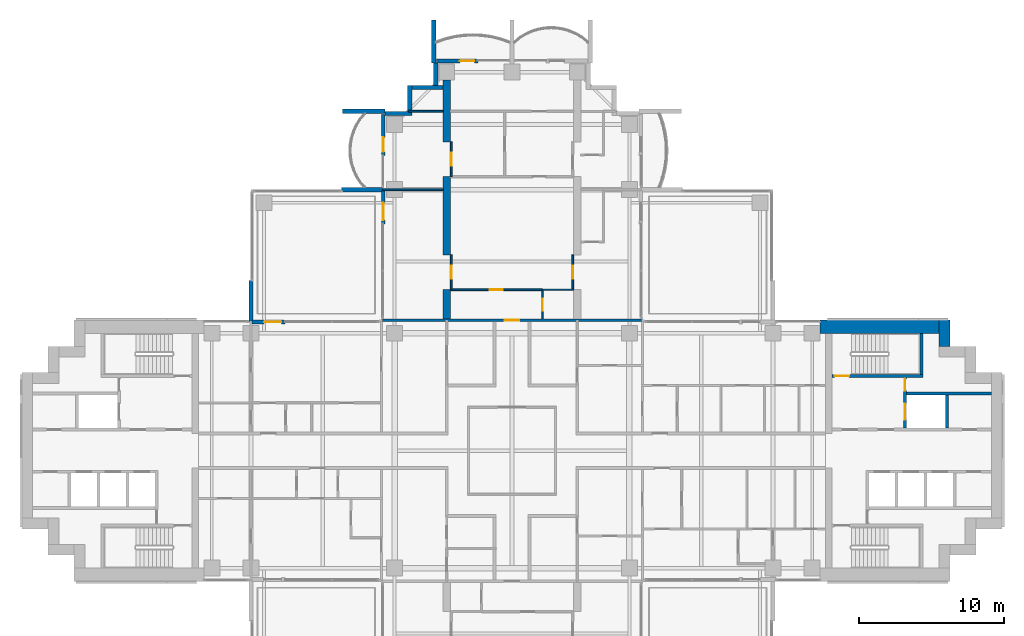
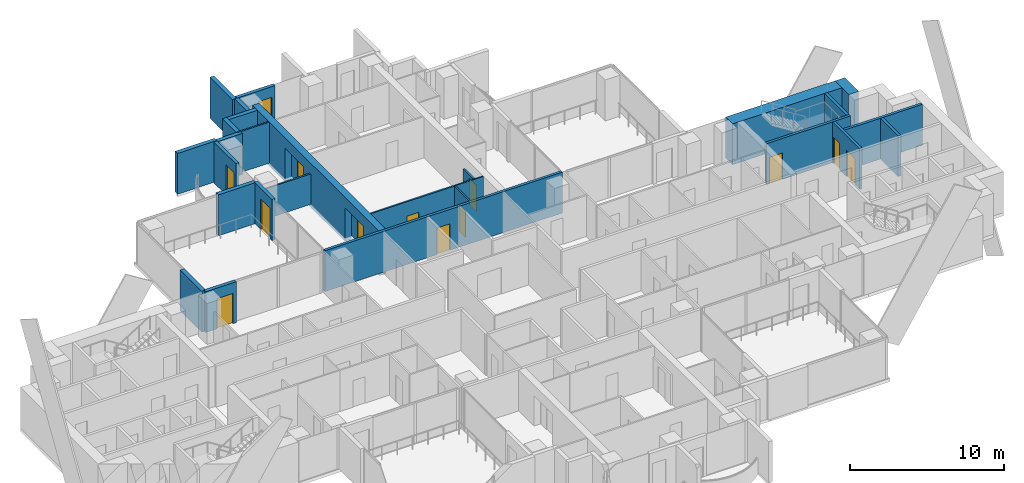
# One storey, part 13 of 19: 29 walls, 13 doors, 13 openings.
"""IFC4 building model written with IfcOpenShell, lengths in metres."""

from ifc_helpers import new_model, si_unit, direction, frame, frame_2d, origin, place, context, subcontext, project, spatial, polyline, rectangle, outline, extrude, material, layer, layer_set, material_profile, profile_set, type_object, element, fill, save


model = new_model("IFC4")

# Units and contexts
model_context = context("Model", 3, precision=1e-05, world=origin(), true_north=direction((0.0, 1.0)))
body_context = subcontext(model_context, "Body", "Model", "MODEL_VIEW")
ifc_project = project(units=[si_unit("LENGTHUNIT", "METRE"), si_unit("AREAUNIT", "SQUARE_METRE"), si_unit("VOLUMEUNIT", "CUBIC_METRE"), si_unit("PLANEANGLEUNIT", "RADIAN"), si_unit("MASSUNIT", "GRAM", prefix="KILO")], contexts=[model_context])

# Site, building, storey
site_placement = place(None, origin())
site = spatial("IfcSite", under=ifc_project, at=site_placement, CompositionType="ELEMENT")
building_placement = place(site_placement, origin())
building = spatial("IfcBuilding", under=site, at=building_placement, Name="Perihelion Cross Residences", CompositionType="ELEMENT")
storey_placement = place(building_placement, frame((0.0, 0.0, 116.39990234375)))
storey = spatial("IfcBuildingStorey", under=building, at=storey_placement, Name="L27", CompositionType="ELEMENT", Elevation=116.39990234375)

# Wall, opening, door
ifc_material_1 = material(Name="Plasterboard partition")
ifc_layer_1 = layer(ifc_material_1, 0.199951171875)
ifc_layer_set_1 = layer_set([ifc_layer_1], Name="Apartment separation wall 200")
wall_type_1 = type_object("IfcWallType", Name="Apartment separation wall 200", PredefinedType="PARTITIONING", material=ifc_layer_set_1)
wall_1_placement = place(storey_placement, frame((-8.919921875, 9.0, 0.0), z_axis=(0.0, 0.0, 1.0), x_axis=(1.0, 0.0, 0.0)))
wall_1 = element("IfcWall", 1, at=wall_1_placement, inside=storey, type_object=wall_type_1, Name="Partition L27 W021", PredefinedType="PARTITIONING", context=body_context, shape_type="SweptSolid", body=[
    extrude(rectangle(XDim=17.83984375, YDim=0.199951171875, at=frame_2d((8.919921875, 0.0))), origin(), (0.0, 0.0, 1.0), 3.25),
])
opening_1_placement = place(wall_1_placement, frame((8.419921875, 0.0, 0.0)))
opening_1 = element("IfcOpeningElement", 2, at=opening_1_placement, cuts=wall_1, Name="Opening L27.A35", PredefinedType="OPENING", context=body_context, shape_type="SweptSolid", body=[
    extrude(rectangle(XDim=1.0, YDim=2.10009765625, at=frame_2d((0.5, 1.050048828125))), frame((0.0, 0.10986328125, 0.0), z_axis=(0.0, -1.0, 0.0), x_axis=(1.0, 0.0, 0.0)), (0.0, 0.0, 1.0), 0.219970703125),
])
ifc_material_2 = material(Name="Timber door leaf", Category="wood")
door_type_1 = type_object("IfcDoorType", Name="Flat entrance door 1000 x 2100", OperationType="SINGLE_SWING_LEFT", PredefinedType="DOOR", material=ifc_material_2)
door_1_placement = place(opening_1_placement, origin())
door_1 = element("IfcDoor", 3, at=door_1_placement, inside=storey, type_object=door_type_1, Name="Door L27.A35", OperationType="SINGLE_SWING_LEFT", OverallHeight=2.10009765625, OverallWidth=1.0, PredefinedType="DOOR", context=body_context, shape_type="SweptSolid", body=[
    extrude(rectangle(XDim=1.0, YDim=2.10009765625, at=frame_2d((0.5, 1.050048828125))), frame((0.0, 0.02490234375, 0.0), z_axis=(0.0, -1.0, 0.0), x_axis=(1.0, 0.0, 0.0)), (0.0, 0.0, 1.0), 0.050048828125),
])
fill(opening_1, door_1)

ifc_material_3 = material(Name="Concrete C30/37, bronze-clad", Category="concrete")
ifc_layer_2 = layer(ifc_material_3, 0.25)
ifc_layer_set_2 = layer_set([ifc_layer_2], Name="Bronze-clad pier wall 250")
wall_type_2 = type_object("IfcWallType", Name="Bronze-clad pier wall 250", PredefinedType="SOLIDWALL", material=ifc_layer_set_2)
wall_2_placement = place(storey_placement, frame((-2.35009765625, 26.875, 0.0), z_axis=(0.0, 0.0, 1.0), x_axis=(-1.0, 0.0, 0.0)))
wall_2 = element("IfcWall", 4, at=wall_2_placement, inside=storey, type_object=wall_type_2, Name="Wall FW1 L27 north tip north bay 2 pier", PredefinedType="SOLIDWALL", context=body_context, shape_type="SweptSolid", body=[
    extrude(rectangle(XDim=2.849853515625, YDim=0.25, at=frame_2d((1.4248046875, 0.0))), origin(), (0.0, 0.0, 1.0), 3.25),
])
opening_2_placement = place(wall_2_placement, frame((0.25, 0.0, 0.0)))
opening_2 = element("IfcOpeningElement", 5, at=opening_2_placement, cuts=wall_2, Name="Opening L27.E05", PredefinedType="OPENING", context=body_context, shape_type="SweptSolid", body=[
    extrude(rectangle(XDim=1.0, YDim=2.39990234375, at=frame_2d((0.5, 1.199951171875))), frame((0.0, 0.135009765625, 0.0), z_axis=(0.0, -1.0, 0.0), x_axis=(1.0, 0.0, 0.0)), (0.0, 0.0, 1.0), 0.27001953125),
])
ifc_material_4 = material(Name="Bronze anodised aluminium, glazed", Category="aluminium")
door_type_2 = type_object("IfcDoorType", Name="Balcony door 1000 x 2400", OperationType="NOTDEFINED", PredefinedType="DOOR", material=ifc_material_4)
door_2_placement = place(opening_2_placement, origin())
door_2 = element("IfcDoor", 6, at=door_2_placement, inside=storey, type_object=door_type_2, Name="Door L27.E05 north tip north bay 2", OperationType="SINGLE_SWING_RIGHT", OverallHeight=2.39990234375, OverallWidth=1.0, PredefinedType="DOOR", context=body_context, shape_type="SweptSolid", body=[
    extrude(rectangle(XDim=1.0, YDim=2.39990234375, at=frame_2d((0.5, 1.199951171875))), frame((0.0, 0.02490234375, 0.0), z_axis=(0.0, -1.0, 0.0), x_axis=(1.0, 0.0, 0.0)), (0.0, 0.0, 1.0), 0.050048828125),
])
fill(opening_2, door_2)

wall_3_placement = place(storey_placement, frame((-8.875, 23.199951171875, 0.0), z_axis=(0.0, 0.0, 1.0), x_axis=(0.0, -1.0, 0.0)))
wall_3 = element("IfcWall", 7, at=wall_3_placement, inside=storey, type_object=wall_type_2, Name="Wall FW1 L27 north side west bay 1 pier", PredefinedType="SOLIDWALL", context=body_context, shape_type="SweptSolid", body=[
    extrude(rectangle(XDim=2.849853515625, YDim=0.25, at=frame_2d((1.4248046875, 0.0))), origin(), (0.0, 0.0, 1.0), 3.25),
])
opening_3_placement = place(wall_3_placement, frame((1.60009765625, 0.0, 0.0)))
opening_3 = element("IfcOpeningElement", 8, at=opening_3_placement, cuts=wall_3, Name="Opening L27.E06", PredefinedType="OPENING", context=body_context, shape_type="SweptSolid", body=[
    extrude(rectangle(XDim=1.0, YDim=2.39990234375, at=frame_2d((0.5, 1.199951171875))), frame((0.0, 0.135009765625, 0.0), z_axis=(0.0, -1.0, 0.0), x_axis=(1.0, 0.0, 0.0)), (0.0, 0.0, 1.0), 0.27001953125),
])
door_3_placement = place(opening_3_placement, origin())
door_3 = element("IfcDoor", 9, at=door_3_placement, inside=storey, type_object=door_type_2, Name="Door L27.E06 north side west bay 1", OperationType="SINGLE_SWING_LEFT", OverallHeight=2.39990234375, OverallWidth=1.0, PredefinedType="DOOR", context=body_context, shape_type="SweptSolid", body=[
    extrude(rectangle(XDim=1.0, YDim=2.39990234375, at=frame_2d((0.5, 1.199951171875))), frame((0.0, 0.02490234375, 0.0), z_axis=(0.0, -1.0, 0.0), x_axis=(1.0, 0.0, 0.0)), (0.0, 0.0, 1.0), 0.050048828125),
])
fill(opening_3, door_3)

wall_4_placement = place(storey_placement, frame((-8.875, 17.93994140625, 0.0), z_axis=(0.0, 0.0, 1.0), x_axis=(0.0, -1.0, 0.0)))
wall_4 = element("IfcWall", 10, at=wall_4_placement, inside=storey, type_object=wall_type_2, Name="Wall FW1 L27 north side west bay 2 pier", PredefinedType="SOLIDWALL", context=body_context, shape_type="SweptSolid", body=[
    extrude(rectangle(XDim=2.2900390625, YDim=0.25, at=frame_2d((1.14501953125, 0.0))), origin(), (0.0, 0.0, 1.0), 3.25),
])
opening_4_placement = place(wall_4_placement, frame((0.840087890625, 0.0, 0.0)))
opening_4 = element("IfcOpeningElement", 11, at=opening_4_placement, cuts=wall_4, Name="Opening L27.E07", PredefinedType="OPENING", context=body_context, shape_type="SweptSolid", body=[
    extrude(rectangle(XDim=1.199951171875, YDim=2.39990234375, at=frame_2d((0.60009765625, 1.199951171875))), frame((0.0, 0.135009765625, 0.0), z_axis=(0.0, -1.0, 0.0), x_axis=(1.0, 0.0, 0.0)), (0.0, 0.0, 1.0), 0.27001953125),
])
ifc_material_5 = material(Name="Bronze anodised aluminium, glazed", Category="aluminium")
door_type_3 = type_object("IfcDoorType", Name="Balcony door 1200 x 2400", OperationType="NOTDEFINED", PredefinedType="DOOR", material=ifc_material_5)
door_4_placement = place(opening_4_placement, origin())
door_4 = element("IfcDoor", 12, at=door_4_placement, inside=storey, type_object=door_type_3, Name="Door L27.E07 north side west bay 2", OperationType="SINGLE_SWING_RIGHT", OverallHeight=2.39990234375, OverallWidth=1.199951171875, PredefinedType="DOOR", context=body_context, shape_type="SweptSolid", body=[
    extrude(rectangle(XDim=1.199951171875, YDim=2.39990234375, at=frame_2d((0.60009765625, 1.199951171875))), frame((0.0, 0.02490234375, 0.0), z_axis=(0.0, -1.0, 0.0), x_axis=(1.0, 0.0, 0.0)), (0.0, 0.0, 1.0), 0.050048828125),
])
fill(opening_4, door_4)

wall_5_placement = place(storey_placement, frame((-15.64990234375, 8.875, 0.0), z_axis=(0.0, 0.0, 1.0), x_axis=(-1.0, 0.0, 0.0)))
wall_5 = element("IfcWall", 13, at=wall_5_placement, inside=storey, type_object=wall_type_2, Name="Wall FW1 L27 west side north bay 1 pier", PredefinedType="SOLIDWALL", context=body_context, shape_type="SweptSolid", body=[
    extrude(rectangle(XDim=2.2900390625, YDim=0.25, at=frame_2d((1.14501953125, 0.0))), origin(), (0.0, 0.0, 1.0), 3.25),
])
opening_5_placement = place(wall_5_placement, frame((0.25, 0.0, 0.0)))
opening_5 = element("IfcOpeningElement", 14, at=opening_5_placement, cuts=wall_5, Name="Opening L27.E08", PredefinedType="OPENING", context=body_context, shape_type="SweptSolid", body=[
    extrude(rectangle(XDim=1.199951171875, YDim=2.39990234375, at=frame_2d((0.60009765625, 1.199951171875))), frame((0.0, 0.135009765625, 0.0), z_axis=(0.0, -1.0, 0.0), x_axis=(1.0, 0.0, 0.0)), (0.0, 0.0, 1.0), 0.27001953125),
])
door_5_placement = place(opening_5_placement, origin())
door_5 = element("IfcDoor", 15, at=door_5_placement, inside=storey, type_object=door_type_3, Name="Door L27.E08 west side north bay 1", OperationType="SINGLE_SWING_LEFT", OverallHeight=2.39990234375, OverallWidth=1.199951171875, PredefinedType="DOOR", context=body_context, shape_type="SweptSolid", body=[
    extrude(rectangle(XDim=1.199951171875, YDim=2.39990234375, at=frame_2d((0.60009765625, 1.199951171875))), frame((0.0, 0.02490234375, 0.0), z_axis=(0.0, -1.0, 0.0), x_axis=(1.0, 0.0, 0.0)), (0.0, 0.0, 1.0), 0.050048828125),
])
fill(opening_5, door_5)

# Walls
ifc_material_6 = material(Name="Concrete C30/37, bronze-clad", Category="concrete")
ifc_layer_3 = layer(ifc_material_6, 0.300048828125)
ifc_layer_set_3 = layer_set([ifc_layer_3], Name="Bronze-clad serration wall 300")
wall_type_3 = type_object("IfcWallType", Name="Bronze-clad serration wall 300", PredefinedType="SOLIDWALL", material=ifc_layer_set_3)
wall_6_placement = place(storey_placement, frame((-5.25, 26.75, 0.0), z_axis=(0.0, 0.0, 1.0), x_axis=(0.0, -1.0, 0.0)))
element("IfcWall", 16, at=wall_6_placement, inside=storey, type_object=wall_type_3, Name="Wall SR1 L27 north corner north-west 1", PredefinedType="SOLIDWALL", context=body_context, shape_type="SweptSolid", body=[
    extrude(rectangle(XDim=1.550048828125, YDim=0.300048828125, at=frame_2d((0.77490234375, 0.0))), origin(), (0.0, 0.0, 1.0), 3.25),
])
wall_7_placement = place(storey_placement, frame((-4.75, 25.050048828125, 0.0), z_axis=(0.0, 0.0, 1.0), x_axis=(-1.0, 0.0, 0.0)))
element("IfcWall", 17, at=wall_7_placement, inside=storey, type_object=wall_type_3, Name="Wall SR1 L27 north corner north-west 2", PredefinedType="SOLIDWALL", context=body_context, shape_type="SweptSolid", body=[
    extrude(rectangle(XDim=2.14990234375, YDim=0.300048828125, at=frame_2d((1.074951171875, 0.0))), origin(), (0.0, 0.0, 1.0), 3.25),
])
wall_8_placement = place(storey_placement, frame((-7.050048828125, 25.199951171875, 0.0), z_axis=(0.0, 0.0, 1.0), x_axis=(0.0, -1.0, 0.0)))
element("IfcWall", 18, at=wall_8_placement, inside=storey, type_object=wall_type_3, Name="Wall SR1 L27 north corner north-west 3", PredefinedType="SOLIDWALL", context=body_context, shape_type="SweptSolid", body=[
    extrude(rectangle(XDim=1.800048828125, YDim=0.300048828125, at=frame_2d((0.89990234375, 0.0))), origin(), (0.0, 0.0, 1.0), 3.25),
])
wall_9_placement = place(storey_placement, frame((-6.89990234375, 23.25, 0.0), z_axis=(0.0, 0.0, 1.0), x_axis=(-1.0, 0.0, 0.0)))
element("IfcWall", 19, at=wall_9_placement, inside=storey, type_object=wall_type_3, Name="Wall SR1 L27 north corner north-west 4", PredefinedType="SOLIDWALL", context=body_context, shape_type="SweptSolid", body=[
    extrude(rectangle(XDim=1.85009765625, YDim=0.300048828125, at=frame_2d((0.925048828125, 0.0))), origin(), (0.0, 0.0, 1.0), 3.25),
])
ifc_material_7 = material(Name="Concrete C60/75", Category="concrete")
ifc_layer_4 = layer(ifc_material_7, 0.75)
ifc_layer_set_4 = layer_set([ifc_layer_4], Name="Core wall, outer 750")
wall_type_4 = type_object("IfcWallType", Name="Core wall, outer 750", PredefinedType="SHEAR", material=ifc_layer_set_4)
wall_10_placement = place(storey_placement, frame((29.824951171875, 7.199951171875, 0.0), z_axis=(0.0, 0.0, 1.0), x_axis=(0.0, 1.0, 0.0)))
element("IfcWall", 20, at=wall_10_placement, inside=storey, type_object=wall_type_4, Name="East core core wall, outer", PredefinedType="SHEAR", context=body_context, shape_type="SweptSolid", body=[
    extrude(rectangle(XDim=1.800048828125, YDim=0.75, at=frame_2d((0.89990234375, 0.0))), origin(), (0.0, 0.0, 1.0), 3.25),
])
ifc_material_8 = material(Name="Concrete C60/75", Category="concrete")
ifc_layer_5 = layer(ifc_material_8, 0.89990234375)
ifc_layer_set_5 = layer_set([ifc_layer_5], Name="Core wall, outer 900")
wall_type_5 = type_object("IfcWallType", Name="Core wall, outer 900", PredefinedType="SHEAR", material=ifc_layer_set_5)
wall_11_placement = place(storey_placement, frame((21.25, 8.550048828125, 0.0), z_axis=(0.0, 0.0, 1.0), x_axis=(1.0, 0.0, 0.0)))
element("IfcWall", 21, at=wall_11_placement, inside=storey, type_object=wall_type_5, Name="East core core wall, outer", PredefinedType="SHEAR", context=body_context, shape_type="SweptSolid", body=[
    extrude(rectangle(XDim=8.199951171875, YDim=0.89990234375, at=frame_2d((4.10009765625, 0.0))), origin(), (0.0, 0.0, 1.0), 3.25),
])

# Wall, opening, door
ifc_material_9 = material(Name="Plasterboard partition")
ifc_layer_6 = layer(ifc_material_9, 0.1201171875)
ifc_layer_set_6 = layer_set([ifc_layer_6], Name="Infill panel 120")
wall_type_6 = type_object("IfcWallType", Name="Infill panel 120", PredefinedType="PARTITIONING", material=ifc_layer_set_6)
wall_12_placement = place(storey_placement, frame((4.18994140625, 11.10009765625, 0.0), z_axis=(0.0, 0.0, 1.0), x_axis=(0.0, 1.0, 0.0)))
wall_12 = element("IfcWall", 22, at=wall_12_placement, inside=storey, type_object=wall_type_6, Name="Partition L27 WI01", PredefinedType="PARTITIONING", context=body_context, shape_type="SweptSolid", body=[
    extrude(rectangle(XDim=2.39990234375, YDim=0.1201171875, at=frame_2d((1.199951171875, 0.0))), origin(), (0.0, 0.0, 1.0), 2.400146484375),
])
opening_6_placement = place(wall_12_placement, frame((0.75, 0.0, 0.0)))
opening_6 = element("IfcOpeningElement", 23, at=opening_6_placement, cuts=wall_12, Name="Opening L27.A53", PredefinedType="OPENING", context=body_context, shape_type="SweptSolid", body=[
    extrude(rectangle(XDim=0.89990234375, YDim=2.10009765625, at=frame_2d((0.449951171875, 1.050048828125))), frame((0.0, 0.070068359375, 0.0), z_axis=(0.0, -1.0, 0.0), x_axis=(1.0, 0.0, 0.0)), (0.0, 0.0, 1.0), 0.14013671875),
])
ifc_material_10 = material(Name="Timber door leaf", Category="wood")
door_type_4 = type_object("IfcDoorType", Name="Interior room door 900 x 2100", OperationType="SINGLE_SWING_LEFT", PredefinedType="DOOR", material=ifc_material_10)
door_6_placement = place(opening_6_placement, origin())
door_6 = element("IfcDoor", 24, at=door_6_placement, inside=storey, type_object=door_type_4, Name="Door L27.A53", OperationType="SINGLE_SWING_LEFT", OverallHeight=2.10009765625, OverallWidth=0.89990234375, PredefinedType="DOOR", context=body_context, shape_type="SweptSolid", body=[
    extrude(rectangle(XDim=0.89990234375, YDim=2.10009765625, at=frame_2d((0.449951171875, 1.050048828125))), frame((0.0, 0.02490234375, 0.0), z_axis=(0.0, -1.0, 0.0), x_axis=(1.0, 0.0, 0.0)), (0.0, 0.0, 1.0), 0.050048828125),
])
fill(opening_6, door_6)

wall_13_placement = place(storey_placement, frame((-4.18994140625, 11.10009765625, 0.0), z_axis=(0.0, 0.0, 1.0), x_axis=(0.0, 1.0, 0.0)))
wall_13 = element("IfcWall", 25, at=wall_13_placement, inside=storey, type_object=wall_type_6, Name="Partition L27 WI03", PredefinedType="PARTITIONING", context=body_context, shape_type="SweptSolid", body=[
    extrude(rectangle(XDim=2.39990234375, YDim=0.1201171875, at=frame_2d((1.199951171875, 0.0))), origin(), (0.0, 0.0, 1.0), 2.400146484375),
])
opening_7_placement = place(wall_13_placement, frame((0.75, 0.0, 0.0)))
opening_7 = element("IfcOpeningElement", 26, at=opening_7_placement, cuts=wall_13, Name="Opening L27.A55", PredefinedType="OPENING", context=body_context, shape_type="SweptSolid", body=[
    extrude(rectangle(XDim=0.89990234375, YDim=2.10009765625, at=frame_2d((0.449951171875, 1.050048828125))), frame((0.0, 0.070068359375, 0.0), z_axis=(0.0, -1.0, 0.0), x_axis=(1.0, 0.0, 0.0)), (0.0, 0.0, 1.0), 0.14013671875),
])
door_7_placement = place(opening_7_placement, origin())
door_7 = element("IfcDoor", 27, at=door_7_placement, inside=storey, type_object=door_type_4, Name="Door L27.A55", OperationType="SINGLE_SWING_RIGHT", OverallHeight=2.10009765625, OverallWidth=0.89990234375, PredefinedType="DOOR", context=body_context, shape_type="SweptSolid", body=[
    extrude(rectangle(XDim=0.89990234375, YDim=2.10009765625, at=frame_2d((0.449951171875, 1.050048828125))), frame((0.0, 0.02490234375, 0.0), z_axis=(0.0, -1.0, 0.0), x_axis=(1.0, 0.0, 0.0)), (0.0, 0.0, 1.0), 0.050048828125),
])
fill(opening_7, door_7)

wall_14_placement = place(storey_placement, frame((-4.18994140625, 18.89990234375, 0.0), z_axis=(0.0, 0.0, 1.0), x_axis=(0.0, 1.0, 0.0)))
wall_14 = element("IfcWall", 28, at=wall_14_placement, inside=storey, type_object=wall_type_6, Name="Partition L27 WI04", PredefinedType="PARTITIONING", context=body_context, shape_type="SweptSolid", body=[
    extrude(rectangle(XDim=2.400146484375, YDim=0.1201171875, at=frame_2d((1.2001953125, 0.0))), origin(), (0.0, 0.0, 1.0), 2.400146484375),
])
opening_8_placement = place(wall_14_placement, frame((0.75, 0.0, 0.0)))
opening_8 = element("IfcOpeningElement", 29, at=opening_8_placement, cuts=wall_14, Name="Opening L27.A56", PredefinedType="OPENING", context=body_context, shape_type="SweptSolid", body=[
    extrude(rectangle(XDim=0.89990234375, YDim=2.10009765625, at=frame_2d((0.449951171875, 1.050048828125))), frame((0.0, 0.070068359375, 0.0), z_axis=(0.0, -1.0, 0.0), x_axis=(1.0, 0.0, 0.0)), (0.0, 0.0, 1.0), 0.14013671875),
])
door_8_placement = place(opening_8_placement, origin())
door_8 = element("IfcDoor", 30, at=door_8_placement, inside=storey, type_object=door_type_4, Name="Door L27.A56", OperationType="SINGLE_SWING_LEFT", OverallHeight=2.10009765625, OverallWidth=0.89990234375, PredefinedType="DOOR", context=body_context, shape_type="SweptSolid", body=[
    extrude(rectangle(XDim=0.89990234375, YDim=2.10009765625, at=frame_2d((0.449951171875, 1.050048828125))), frame((0.0, 0.02490234375, 0.0), z_axis=(0.0, -1.0, 0.0), x_axis=(1.0, 0.0, 0.0)), (0.0, 0.0, 1.0), 0.050048828125),
])
fill(opening_8, door_8)

ifc_material_11 = material(Name="Plasterboard partition")
ifc_layer_7 = layer(ifc_material_11, 0.1201171875)
ifc_layer_set_7 = layer_set([ifc_layer_7], Name="Partition wall 120")
wall_type_7 = type_object("IfcWallType", Name="Partition wall 120", PredefinedType="PARTITIONING", material=ifc_layer_set_7)
wall_15_placement = place(storey_placement, frame((-4.25, 11.10009765625, 0.0), z_axis=(0.0, 0.0, 1.0), x_axis=(1.0, 0.0, 0.0)))
wall_15 = element("IfcWall", 31, at=wall_15_placement, inside=storey, type_object=wall_type_7, Name="Partition L27 W067", PredefinedType="PARTITIONING", context=body_context, shape_type="SweptSolid", body=[
    extrude(rectangle(XDim=6.35009765625, YDim=0.1201171875, at=frame_2d((3.175048828125, 0.0))), origin(), (0.0, 0.0, 1.0), 3.25),
])
opening_9_placement = place(wall_15_placement, frame((2.72509765625, 0.0, 0.0)))
opening_9 = element("IfcOpeningElement", 32, at=opening_9_placement, cuts=wall_15, Name="Opening L27.A37", PredefinedType="OPENING", context=body_context, shape_type="SweptSolid", body=[
    extrude(rectangle(XDim=0.89990234375, YDim=2.10009765625, at=frame_2d((0.449951171875, 1.050048828125))), frame((0.0, 0.070068359375, 0.0), z_axis=(0.0, -1.0, 0.0), x_axis=(1.0, 0.0, 0.0)), (0.0, 0.0, 1.0), 0.14013671875),
])
door_9_placement = place(opening_9_placement, origin())
door_9 = element("IfcDoor", 33, at=door_9_placement, inside=storey, type_object=door_type_4, Name="Door L27.A37", OperationType="SINGLE_SWING_RIGHT", OverallHeight=2.10009765625, OverallWidth=0.89990234375, PredefinedType="DOOR", context=body_context, shape_type="SweptSolid", body=[
    extrude(rectangle(XDim=0.89990234375, YDim=2.10009765625, at=frame_2d((0.449951171875, 1.050048828125))), frame((0.0, 0.02490234375, 0.0), z_axis=(0.0, -1.0, 0.0), x_axis=(1.0, 0.0, 0.0)), (0.0, 0.0, 1.0), 0.050048828125),
])
fill(opening_9, door_9)

# Walls
wall_16_placement = place(storey_placement, frame((-8.919921875, 18.0, 0.0), z_axis=(0.0, 0.0, 1.0), x_axis=(1.0, 0.0, 0.0)))
element("IfcWall", 34, at=wall_16_placement, inside=storey, type_object=wall_type_7, Name="Partition L27 W080", PredefinedType="PARTITIONING", context=body_context, shape_type="SweptSolid", body=[
    extrude(rectangle(XDim=4.169921875, YDim=0.1201171875, at=frame_2d((2.0849609375, 0.0))), origin(), (0.0, 0.0, 1.0), 2.4140625),
])
wall_17_placement = place(storey_placement, frame((-7.1201171875, 23.39990234375, 0.0), z_axis=(0.0, 0.0, 1.0), x_axis=(1.0, 0.0, 0.0)))
element("IfcWall", 35, at=wall_17_placement, inside=storey, type_object=wall_type_7, Name="Partition L27 W081", PredefinedType="PARTITIONING", context=body_context, shape_type="SweptSolid", body=[
    extrude(rectangle(XDim=2.3701171875, YDim=0.1201171875, at=frame_2d((1.18505859375, 0.0))), origin(), (0.0, 0.0, 1.0), 3.25),
])
ifc_material_12 = material(Name="Precast concrete C50/60", Category="concrete")
ifc_layer_8 = layer(ifc_material_12, 0.300048828125)
ifc_layer_set_8 = layer_set([ifc_layer_8], Name="Precast concrete C50/60 blade wall 300")
wall_type_8 = type_object("IfcWallType", Name="Precast concrete C50/60 blade wall 300", PredefinedType="SOLIDWALL", material=ifc_layer_set_8)
for number, where, z_axis, x_axis, name in (
    (36, (-18.0, 8.919921875, 0.0), (0.0, 0.0, 1.0), (0.0, 1.0, 0.0), "Wall BL1 L27 no. 2"),
    (37, (-8.919921875, 18.0, 0.0), (0.0, 0.0, 1.0), (-1.0, 0.0, 0.0), "Wall BL1 L27 no. 6"),
):
    element("IfcWall", number, at=place(storey_placement, frame(where, z_axis=z_axis, x_axis=x_axis)), inside=storey, type_object=wall_type_8, Name=name, PredefinedType="SOLIDWALL", context=body_context, shape_type="SweptSolid", body=[
        extrude(rectangle(XDim=2.820068359375, YDim=0.300048828125, at=frame_2d((1.41015625, 0.0))), origin(), (0.0, 0.0, 1.0), 3.25),
    ])
for number, where, z_axis, x_axis, name in (
    (38, (-8.75, 23.39990234375, 0.0), (0.0, 0.0, 1.0), (-1.0, 0.0, 0.0), "Wall BL1 L27 no. 7"),
    (39, (-5.39990234375, 26.75, 0.0), (0.0, 0.0, 1.0), (0.0, 1.0, 0.0), "Wall BL1 L27 no. 4"),
):
    element("IfcWall", number, at=place(storey_placement, frame(where, z_axis=z_axis, x_axis=x_axis)), inside=storey, type_object=wall_type_8, Name=name, PredefinedType="SOLIDWALL", context=body_context, shape_type="SweptSolid", body=[
        extrude(rectangle(XDim=2.949951171875, YDim=0.300048828125, at=frame_2d((1.47509765625, 0.0))), origin(), (0.0, 0.0, 1.0), 3.25),
    ])
ifc_material_13 = material(Name="Concrete C50/60", Category="concrete")
ifc_layer_9 = layer(ifc_material_13, 0.199951171875)
ifc_layer_set_9 = layer_set([ifc_layer_9], Name="Shaft wall 200")
wall_type_9 = type_object("IfcWallType", Name="Shaft wall 200", PredefinedType="SOLIDWALL", material=ifc_layer_set_9)
wall_18_placement = place(storey_placement, frame((27.199951171875, 3.949951171875, 0.0), z_axis=(0.0, 0.0, 1.0), x_axis=(1.0, 0.0, 0.0)))
element("IfcWall", 40, at=wall_18_placement, inside=storey, type_object=wall_type_9, Name="East core shaft wall", PredefinedType="SOLIDWALL", context=body_context, shape_type="SweptSolid", body=[
    extrude(rectangle(XDim=5.85009765625, YDim=0.199951171875, at=frame_2d((2.925048828125, 0.0))), origin(), (0.0, 0.0, 1.0), 3.25),
])

# Wall, openings, doors
wall_19_placement = place(storey_placement, frame((27.10009765625, 1.550048828125, 0.0), z_axis=(0.0, 0.0, 1.0), x_axis=(0.0, 1.0, 0.0)))
wall_19 = element("IfcWall", 41, at=wall_19_placement, inside=storey, type_object=wall_type_9, Name="East core shaft wall", PredefinedType="SOLIDWALL", context=body_context, shape_type="SweptSolid", body=[
    extrude(rectangle(XDim=3.5, YDim=0.199951171875, at=frame_2d((1.75, 0.0))), origin(), (0.0, 0.0, 1.0), 3.25),
])
opening_10_placement = place(wall_19_placement, frame((0.60009765625, 0.0, 0.0)))
opening_10 = element("IfcOpeningElement", 42, at=opening_10_placement, cuts=wall_19, Name="Opening L27.C02", PredefinedType="OPENING", context=body_context, shape_type="SweptSolid", body=[
    extrude(rectangle(XDim=1.10009765625, YDim=2.10009765625, at=frame_2d((0.550048828125, 1.050048828125))), frame((0.0, 0.10986328125, 0.0), z_axis=(0.0, -1.0, 0.0), x_axis=(1.0, 0.0, 0.0)), (0.0, 0.0, 1.0), 0.219970703125),
])
opening_11_placement = place(wall_19_placement, frame((2.60009765625, 0.0, 0.0)))
opening_11 = element("IfcOpeningElement", 43, at=opening_11_placement, cuts=wall_19, Name="Opening L27.C10", PredefinedType="OPENING", context=body_context, shape_type="SweptSolid", body=[
    extrude(rectangle(XDim=0.800048828125, YDim=2.10009765625, at=frame_2d((0.39990234375, 1.050048828125))), frame((0.0, 0.10986328125, 0.0), z_axis=(0.0, -1.0, 0.0), x_axis=(1.0, 0.0, 0.0)), (0.0, 0.0, 1.0), 0.219970703125),
])
ifc_material_14 = material(Name="Stainless steel", Category="steel")
door_type_5 = type_object("IfcDoorType", Name="Landing door, firefighting lift 1100", OperationType="DOUBLE_DOOR_SLIDING", PredefinedType="DOOR", material=ifc_material_14)
door_10_placement = place(opening_10_placement, origin())
door_10 = element("IfcDoor", 44, at=door_10_placement, inside=storey, type_object=door_type_5, Name="Landing door, East core firefighting and service lift", OperationType="DOUBLE_DOOR_SLIDING", OverallHeight=2.10009765625, OverallWidth=1.10009765625, PredefinedType="DOOR", context=body_context, shape_type="SweptSolid", body=[
    extrude(rectangle(XDim=1.10009765625, YDim=2.10009765625, at=frame_2d((0.550048828125, 1.050048828125))), frame((0.0, 0.02490234375, 0.0), z_axis=(0.0, -1.0, 0.0), x_axis=(1.0, 0.0, 0.0)), (0.0, 0.0, 1.0), 0.050048828125),
])
fill(opening_10, door_10)
ifc_material_15 = material(Name="Steel, powder coated", Category="steel")
door_type_6 = type_object("IfcDoorType", Name="Riser door 800", OperationType="SINGLE_SWING_LEFT", PredefinedType="DOOR", material=ifc_material_15)
door_11_placement = place(opening_11_placement, origin())
door_11 = element("IfcDoor", 45, at=door_11_placement, inside=storey, type_object=door_type_6, Name="East core riser door", OperationType="SINGLE_SWING_LEFT", OverallHeight=2.10009765625, OverallWidth=0.800048828125, PredefinedType="DOOR", context=body_context, shape_type="SweptSolid", body=[
    extrude(rectangle(XDim=0.800048828125, YDim=2.10009765625, at=frame_2d((0.39990234375, 1.050048828125))), frame((0.0, 0.02490234375, 0.0), z_axis=(0.0, -1.0, 0.0), x_axis=(1.0, 0.0, 0.0)), (0.0, 0.0, 1.0), 0.050048828125),
])
fill(opening_11, door_11)

# Wall
wall_20_placement = place(storey_placement, frame((30.0, 1.550048828125, 0.0), z_axis=(0.0, 0.0, 1.0), x_axis=(0.0, 1.0, 0.0)))
element("IfcWall", 46, at=wall_20_placement, inside=storey, type_object=wall_type_9, Name="East core shaft wall", PredefinedType="SOLIDWALL", context=body_context, shape_type="SweptSolid", body=[
    extrude(rectangle(XDim=2.300048828125, YDim=0.199951171875, at=frame_2d((1.14990234375, 0.0))), origin(), (0.0, 0.0, 1.0), 3.25),
])

# Wall, opening, door
ifc_material_16 = material(Name="Concrete C50/60", Category="concrete")
ifc_layer_10 = layer(ifc_material_16, 0.199951171875)
ifc_layer_set_10 = layer_set([ifc_layer_10], Name="Stair wall 200")
wall_type_10 = type_object("IfcWallType", Name="Stair wall 200", PredefinedType="SOLIDWALL", material=ifc_layer_set_10)
wall_21_placement = place(storey_placement, frame((22.050048828125, 5.14990234375, 0.0), z_axis=(0.0, 0.0, 1.0), x_axis=(1.0, 0.0, 0.0)))
wall_21 = element("IfcWall", 47, at=wall_21_placement, inside=storey, type_object=wall_type_10, Name="East core stair wall", PredefinedType="SOLIDWALL", context=body_context, shape_type="SweptSolid", body=[
    extrude(rectangle(XDim=6.300048828125, YDim=0.199951171875, at=frame_2d((3.14990234375, 0.0))), origin(), (0.0, 0.0, 1.0), 3.25),
])
opening_12_placement = place(wall_21_placement, frame((0.199951171875, 0.0, 0.0)))
opening_12 = element("IfcOpeningElement", 48, at=opening_12_placement, cuts=wall_21, Name="Opening L27.C06", PredefinedType="OPENING", context=body_context, shape_type="SweptSolid", body=[
    extrude(rectangle(XDim=1.0, YDim=2.10009765625, at=frame_2d((0.5, 1.050048828125))), frame((0.0, 0.10986328125, 0.0), z_axis=(0.0, -1.0, 0.0), x_axis=(1.0, 0.0, 0.0)), (0.0, 0.0, 1.0), 0.219970703125),
])
ifc_material_17 = material(Name="Steel, powder coated", Category="steel")
door_type_7 = type_object("IfcDoorType", Name="Stair door 1000", OperationType="SINGLE_SWING_LEFT", PredefinedType="DOOR", material=ifc_material_17)
door_12_placement = place(opening_12_placement, origin())
door_12 = element("IfcDoor", 49, at=door_12_placement, inside=storey, type_object=door_type_7, Name="East core stair door", OperationType="SINGLE_SWING_LEFT", OverallHeight=2.10009765625, OverallWidth=1.0, PredefinedType="DOOR", context=body_context, shape_type="SweptSolid", body=[
    extrude(rectangle(XDim=1.0, YDim=2.10009765625, at=frame_2d((0.5, 1.050048828125))), frame((0.0, 0.02490234375, 0.0), z_axis=(0.0, -1.0, 0.0), x_axis=(1.0, 0.0, 0.0)), (0.0, 0.0, 1.0), 0.050048828125),
])
fill(opening_12, door_12)

# Walls
wall_22_placement = place(storey_placement, frame((28.25, 5.25, 0.0), z_axis=(0.0, 0.0, 1.0), x_axis=(0.0, 1.0, 0.0)))
element("IfcWall", 50, at=wall_22_placement, inside=storey, type_object=wall_type_10, Name="East core stair wall", PredefinedType="SOLIDWALL", context=body_context, shape_type="SweptSolid", body=[
    extrude(rectangle(XDim=2.85009765625, YDim=0.199951171875, at=frame_2d((1.425048828125, 0.0))), origin(), (0.0, 0.0, 1.0), 3.25),
])
ifc_material_18 = material(Name="Concrete C60/75", Category="concrete")
ifc_material_profile = material_profile(ifc_material_18, outline(polyline([(0.0, 0.0), (2.10009765625, 0.0), (2.10009765625, 2.64990234375), (4.5, 2.64990234375), (4.5, 0.0), (9.89990234375, 0.0), (9.89990234375, 2.64990234375), (12.300048828125, 2.64990234375), (12.300048828125, 0.0), (16.550048828125, 0.0), (16.550048828125, 3.5), (0.0, 3.5), (0.0, 0.0)])), Name="Tip spine wall")
ifc_profile_set = profile_set([ifc_material_profile], Name="Concrete C60/75")
wall_type_11 = type_object("IfcWallType", Name="Tip spine wall 500 with 2 door openings 16550 long 3500 high concrete C60/75", PredefinedType="SHEAR", material=ifc_profile_set)
wall_23_placement = place(storey_placement, frame((-4.75, 9.0, -0.25), z_axis=(1.0, 0.0, 0.0), x_axis=(0.0, 1.0, 0.0)))
element("IfcWall", 51, at=wall_23_placement, inside=storey, type_object=wall_type_11, Name="Shear wall SW34 L27 north west", PredefinedType="SHEAR", context=body_context, shape_type="SweptSolid", body=[
    extrude(outline(polyline([(0.0, 0.0), (2.10009765625, 0.0), (2.10009765625, 2.64990234375), (4.5, 2.64990234375), (4.5, 0.0), (9.89990234375, 0.0), (9.89990234375, 2.64990234375), (12.300048828125, 2.64990234375), (12.300048828125, 0.0), (16.550048828125, 0.0), (16.550048828125, 3.5), (0.0, 3.5), (0.0, 0.0)])), origin(), (0.0, 0.0, 1.0), 0.5),
])

# Wall, opening, door
ifc_material_19 = material(Name="Plasterboard partition")
ifc_layer_11 = layer(ifc_material_19, 0.10009765625)
ifc_layer_set_11 = layer_set([ifc_layer_11], Name="Wet room wall 100")
wall_type_12 = type_object("IfcWallType", Name="Wet room wall 100", PredefinedType="PARTITIONING", material=ifc_layer_set_11)
wall_24_placement = place(storey_placement, frame((2.10009765625, 11.0400390625, 0.0), z_axis=(0.0, 0.0, 1.0), x_axis=(0.0, -1.0, 0.0)))
wall_24 = element("IfcWall", 52, at=wall_24_placement, inside=storey, type_object=wall_type_12, Name="Partition L27 W066", PredefinedType="PARTITIONING", context=body_context, shape_type="SweptSolid", body=[
    extrude(rectangle(XDim=1.93994140625, YDim=0.10009765625, at=frame_2d((0.969970703125, 0.0))), origin(), (0.0, 0.0, 1.0), 3.25),
])
opening_13_placement = place(wall_24_placement, frame((0.544921875, 0.0, 0.0)))
opening_13 = element("IfcOpeningElement", 53, at=opening_13_placement, cuts=wall_24, Name="Opening L27.A36", PredefinedType="OPENING", context=body_context, shape_type="SweptSolid", body=[
    extrude(rectangle(XDim=0.85009765625, YDim=2.10009765625, at=frame_2d((0.425048828125, 1.050048828125))), frame((0.0, 0.06005859375, 0.0), z_axis=(0.0, -1.0, 0.0), x_axis=(1.0, 0.0, 0.0)), (0.0, 0.0, 1.0), 0.1201171875),
])
ifc_material_20 = material(Name="Timber door leaf", Category="wood")
door_type_8 = type_object("IfcDoorType", Name="Interior bathroom door 850 x 2100", OperationType="SINGLE_SWING_LEFT", PredefinedType="DOOR", material=ifc_material_20)
door_13_placement = place(opening_13_placement, origin())
door_13 = element("IfcDoor", 54, at=door_13_placement, inside=storey, type_object=door_type_8, Name="Door L27.A36", OperationType="SINGLE_SWING_RIGHT", OverallHeight=2.10009765625, OverallWidth=0.85009765625, PredefinedType="DOOR", context=body_context, shape_type="SweptSolid", body=[
    extrude(rectangle(XDim=0.85009765625, YDim=2.10009765625, at=frame_2d((0.425048828125, 1.050048828125))), frame((0.0, 0.02490234375, 0.0), z_axis=(0.0, -1.0, 0.0), x_axis=(1.0, 0.0, 0.0)), (0.0, 0.0, 1.0), 0.050048828125),
])
fill(opening_13, door_13)

# Wall
wall_25_placement = place(storey_placement, frame((2.10009765625, 11.10009765625, 0.0), z_axis=(0.0, 0.0, 1.0), x_axis=(1.0, 0.0, 0.0)))
element("IfcWall", 55, at=wall_25_placement, inside=storey, type_object=wall_type_12, Name="Partition L27 W068", PredefinedType="PARTITIONING", context=body_context, shape_type="SweptSolid", body=[
    extrude(rectangle(XDim=2.14990234375, YDim=0.10009765625, at=frame_2d((1.074951171875, 0.0))), origin(), (0.0, 0.0, 1.0), 3.25),
])

save(model, "model.ifc")
